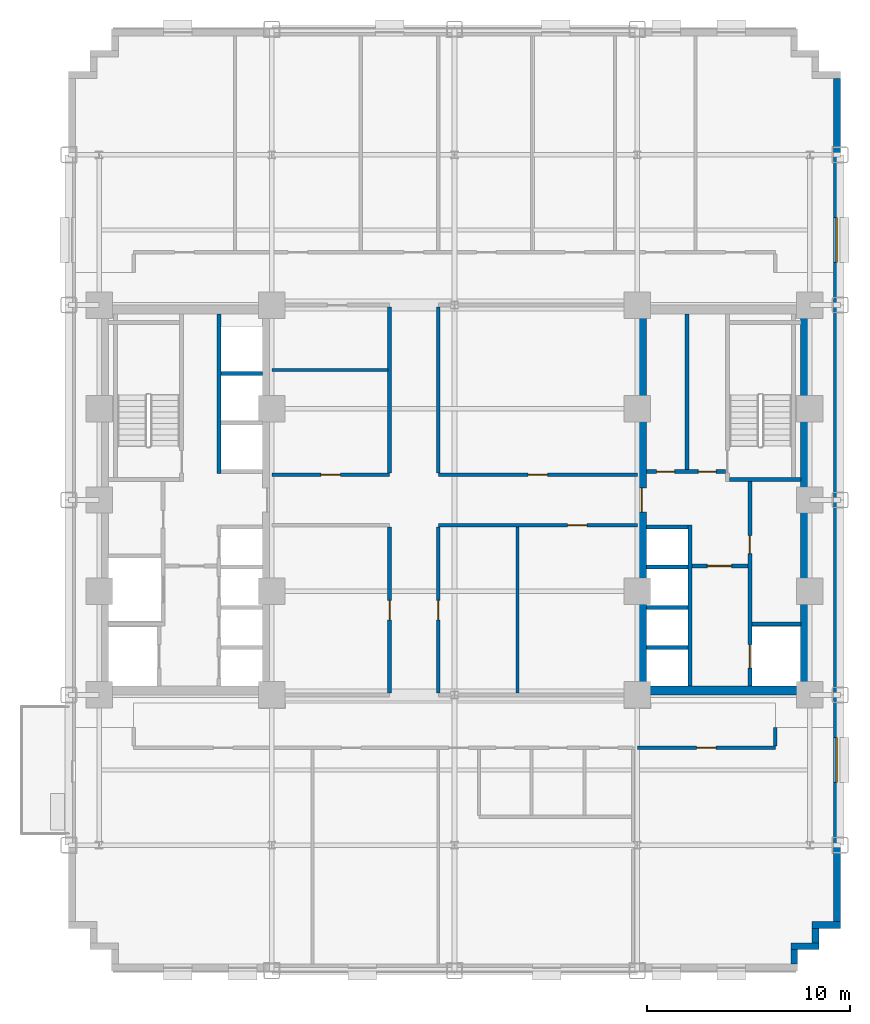
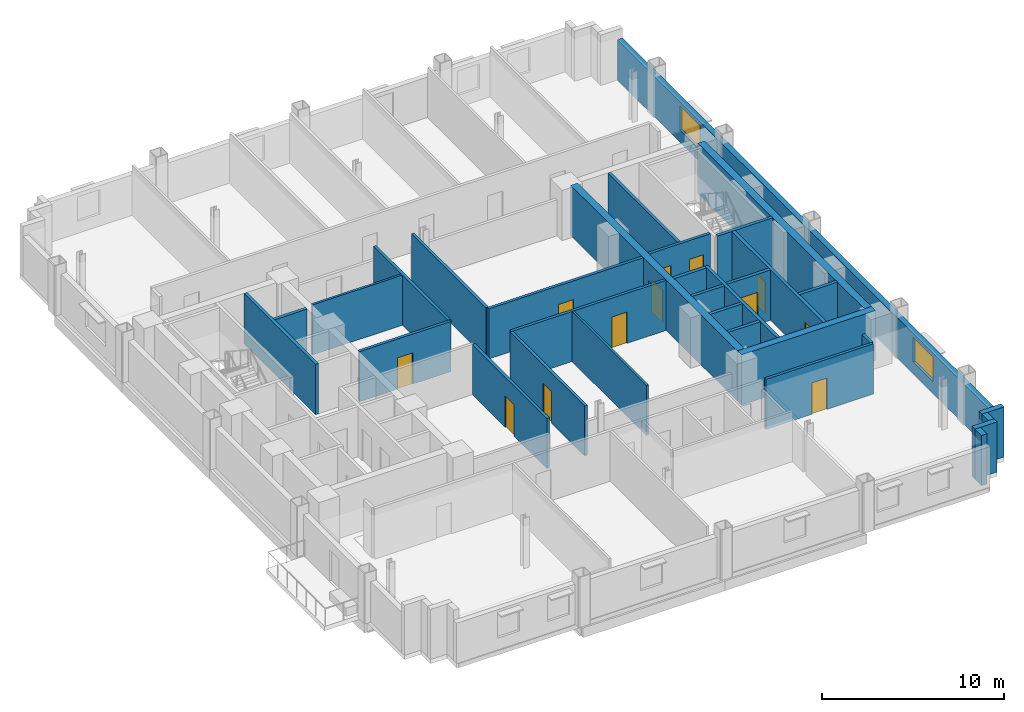
# One storey, part 6 of 12: 32 walls, 12 doors, 2 windows, 14 openings.
"""IFC4 building model written with IfcOpenShell, lengths in metres."""

from ifc_helpers import new_model, si_unit, direction, frame, frame_2d, origin, place, context, subcontext, project, spatial, rectangle, extrude, source, transform, mapped, material, layer, layer_set, type_object, type_shapes, element, fill, save


model = new_model("IFC4")

# Units and contexts
model_context = context("Model", 3, precision=1e-05, world=origin(), true_north=direction((0.0, 1.0)))
body_context = subcontext(model_context, "Body", "Model", "MODEL_VIEW")
ifc_project = project(units=[si_unit("LENGTHUNIT", "METRE"), si_unit("AREAUNIT", "SQUARE_METRE"), si_unit("VOLUMEUNIT", "CUBIC_METRE"), si_unit("PLANEANGLEUNIT", "RADIAN"), si_unit("MASSUNIT", "GRAM", prefix="KILO")], contexts=[model_context])

# Site, building, storey
site_placement = place(None, origin())
site = spatial("IfcSite", under=ifc_project, at=site_placement, CompositionType="ELEMENT")
building_placement = place(site_placement, origin())
building = spatial("IfcBuilding", under=site, at=building_placement, Name="Nuvemarco Arch Tower", CompositionType="ELEMENT")
storey_placement = place(building_placement, frame((0.0, 0.0, 38.550048828125)))
storey = spatial("IfcBuildingStorey", under=building, at=storey_placement, Name="L09", CompositionType="ELEMENT", Elevation=38.550048828125)

# Walls
ifc_material_1 = material(Name="Precast concrete C45/55", Category="concrete")
ifc_layer_1 = layer(ifc_material_1, 0.340087890625, Name="EW-LOW-340")
ifc_layer_set_1 = layer_set([ifc_layer_1], Name="Precast concrete C45/55")
wall_type_1 = type_object("IfcWallType", Name="EW-LOW-340", PredefinedType="STANDARD", material=ifc_layer_set_1)
wall_1_placement = place(storey_placement, frame((16.72998046875, -22.864013671875, 0.0), z_axis=(0.0, 0.0, 1.0), x_axis=(0.0, 1.0, 0.0)))
element("IfcWall", 1, at=wall_1_placement, inside=storey, type_object=wall_type_1, Name="L09 exterior precast facade wall 2", PredefinedType="STANDARD", context=body_context, shape_type="SweptSolid", body=[
    extrude(rectangle(XDim=0.718017578125, YDim=0.340087890625, at=frame_2d((0.35888671875, 0.0))), origin(), (0.0, 0.0, 1.0), 3.35986328125),
])
wall_2_placement = place(storey_placement, frame((16.56005859375, -21.97998046875, 0.0), z_axis=(0.0, 0.0, 1.0), x_axis=(1.0, 0.0, 0.0)))
element("IfcWall", 2, at=wall_2_placement, inside=storey, type_object=wall_type_1, Name="L09 exterior precast facade wall 3", PredefinedType="STANDARD", context=body_context, shape_type="SweptSolid", body=[
    extrude(rectangle(XDim=1.389892578125, YDim=0.340087890625, at=frame_2d((0.69482421875, 0.0))), origin(), (0.0, 0.0, 1.0), 3.35986328125),
])
wall_3_placement = place(storey_placement, frame((17.780029296875, -21.81396484375, 0.0), z_axis=(0.0, 0.0, 1.0), x_axis=(0.0, 1.0, 0.0)))
element("IfcWall", 3, at=wall_3_placement, inside=storey, type_object=wall_type_1, Name="L09 exterior precast facade wall 4", PredefinedType="STANDARD", context=body_context, shape_type="SweptSolid", body=[
    extrude(rectangle(XDim=0.718017578125, YDim=0.340087890625, at=frame_2d((0.35888671875, 0.0))), origin(), (0.0, 0.0, 1.0), 3.35986328125),
])
wall_4_placement = place(storey_placement, frame((17.610107421875, -20.929931640625, 0.0), z_axis=(0.0, 0.0, 1.0), x_axis=(1.0, 0.0, 0.0)))
element("IfcWall", 4, at=wall_4_placement, inside=storey, type_object=wall_type_1, Name="L09 exterior precast facade wall 5", PredefinedType="STANDARD", context=body_context, shape_type="SweptSolid", body=[
    extrude(rectangle(XDim=1.389892578125, YDim=0.340087890625, at=frame_2d((0.69482421875, 0.0))), origin(), (0.0, 0.0, 1.0), 3.35986328125),
])

# Wall, openings, windows
wall_5_placement = place(storey_placement, frame((18.830078125, -20.763916015625, 0.0), z_axis=(0.0, 0.0, 1.0), x_axis=(0.0, 1.0, 0.0)))
wall_5 = element("IfcWall", 5, at=wall_5_placement, inside=storey, type_object=wall_type_1, Name="L09 exterior precast facade wall 6", PredefinedType="STANDARD", context=body_context, shape_type="SweptSolid", body=[
    extrude(rectangle(XDim=41.52783203125, YDim=0.340087890625, at=frame_2d((20.763916015625, 0.0))), origin(), (0.0, 0.0, 1.0), 2.704833984375),
])
opening_1_placement = place(wall_5_placement, frame((6.861572265625, 0.0, 0.800048828125)))
opening_1 = element("IfcOpeningElement", 6, at=opening_1_placement, cuts=wall_5, Name="Opening WN-3", PredefinedType="OPENING", context=body_context, shape_type="SweptSolid", body=[
    extrude(rectangle(XDim=2.199951171875, YDim=1.64990234375, at=frame_2d((1.10009765625, 0.824951171875))), frame((0.0, 0.179931640625, 0.0), z_axis=(0.0, -1.0, 0.0), x_axis=(1.0, 0.0, 0.0)), (0.0, 0.0, 1.0), 0.360107421875),
])
opening_2_placement = place(wall_5_placement, frame((32.466552734375, 0.0, 0.800048828125)))
opening_2 = element("IfcOpeningElement", 7, at=opening_2_placement, cuts=wall_5, Name="Opening WN-3", PredefinedType="OPENING", context=body_context, shape_type="SweptSolid", body=[
    extrude(rectangle(XDim=2.199951171875, YDim=1.64990234375, at=frame_2d((1.10009765625, 0.824951171875))), frame((0.0, 0.179931640625, 0.0), z_axis=(0.0, -1.0, 0.0), x_axis=(1.0, 0.0, 0.0)), (0.0, 0.0, 1.0), 0.360107421875),
])
ifc_material_2 = material(Name="Insulated solar-control glass", Category="glass")
window_type = type_object("IfcWindowType", Name="WN-LOW-2200x1650", PartitioningType="DOUBLE_PANEL_VERTICAL", PredefinedType="WINDOW", material=ifc_material_2)
shared_shape_1 = source(origin(), body_context, "Body", "SweptSolid", [
    extrude(rectangle(XDim=2.199951171875, YDim=1.64990234375, at=frame_2d((1.10009765625, 0.824951171875))), frame((0.0, 0.030029296875, 0.0), z_axis=(0.0, -1.0, 0.0), x_axis=(1.0, 0.0, 0.0)), (0.0, 0.0, 1.0), 0.06005859375),
])
type_shapes(window_type, [shared_shape_1])
window_1_placement = place(opening_1_placement, origin())
window_1 = element("IfcWindow", 8, at=window_1_placement, inside=storey, type_object=window_type, Name="L09 punched facade window 2", OverallHeight=1.64990234375, OverallWidth=2.199951171875, PartitioningType="SINGLE_PANEL", PredefinedType="WINDOW", context=body_context, shape_type="MappedRepresentation", body=[
    mapped(shared_shape_1, transform((0.0, 0.0, 0.0), scale=1.0)),
])
fill(opening_1, window_1)
window_2_placement = place(opening_2_placement, origin())
window_2 = element("IfcWindow", 9, at=window_2_placement, inside=storey, type_object=window_type, Name="L09 punched facade window 7", OverallHeight=1.64990234375, OverallWidth=2.199951171875, PartitioningType="SINGLE_PANEL", PredefinedType="WINDOW", context=body_context, shape_type="MappedRepresentation", body=[
    mapped(shared_shape_1, transform((0.0, 0.0, 0.0), scale=1.0)),
])
fill(opening_2, window_2)

# Wall
ifc_material_3 = material(Name="Concrete C60/75", Category="concrete")
ifc_layer_2 = layer(ifc_material_3, 0.449951171875, Name="WL-CORE-450")
ifc_layer_set_2 = layer_set([ifc_layer_2], Name="Concrete C60/75")
wall_type_2 = type_object("IfcWallType", Name="WL-CORE-450", PredefinedType="SHEAR", material=ifc_layer_set_2)
wall_6_placement = place(storey_placement, frame((9.0, -9.375, 0.0), z_axis=(0.0, 0.0, 1.0), x_axis=(1.0, 0.0, 0.0)))
element("IfcWall", 10, at=wall_6_placement, inside=storey, type_object=wall_type_2, Name="L09 E-core shear wall S", PredefinedType="SHEAR", context=body_context, shape_type="SweptSolid", body=[
    extrude(rectangle(XDim=8.5, YDim=0.449951171875, at=frame_2d((4.25, 0.0))), origin(), (0.0, 0.0, 1.0), 3.369873046875),
])

# Wall, opening, door
wall_7_placement = place(storey_placement, frame((9.22509765625, -9.155029296875, 0.0), z_axis=(0.0, 0.0, 1.0), x_axis=(0.0, 1.0, 0.0)))
wall_7 = element("IfcWall", 11, at=wall_7_placement, inside=storey, type_object=wall_type_2, Name="L09 E-core shear wall W", PredefinedType="SHEAR", context=body_context, shape_type="SweptSolid", body=[
    extrude(rectangle(XDim=18.31005859375, YDim=0.449951171875, at=frame_2d((9.155029296875, 0.0))), origin(), (0.0, 0.0, 1.0), 3.369873046875),
])
opening_3_placement = place(wall_7_placement, frame((8.554931640625, 0.0, 0.0)))
opening_3 = element("IfcOpeningElement", 12, at=opening_3_placement, cuts=wall_7, Name="Opening FD-2", PredefinedType="OPENING", context=body_context, shape_type="SweptSolid", body=[
    extrude(rectangle(XDim=1.199951171875, YDim=2.14990234375, at=frame_2d((0.60009765625, 1.074951171875))), frame((0.0, 0.23486328125, 0.0), z_axis=(0.0, -1.0, 0.0), x_axis=(1.0, 0.0, 0.0)), (0.0, 0.0, 1.0), 0.469970703125),
])
ifc_material_4 = material(Name="Anodised steel fire door", Category="steel")
door_type_1 = type_object("IfcDoorType", Name="DR-FFLOB-FD", OperationType="NOTDEFINED", PredefinedType="DOOR", material=ifc_material_4)
shared_shape_2 = source(origin(), body_context, "Body", "SweptSolid", [
    extrude(rectangle(XDim=1.199951171875, YDim=2.14990234375, at=frame_2d((0.60009765625, 1.074951171875))), frame((0.0, 0.02490234375, 0.0), z_axis=(0.0, -1.0, 0.0), x_axis=(1.0, 0.0, 0.0)), (0.0, 0.0, 1.0), 0.050048828125),
])
type_shapes(door_type_1, [shared_shape_2])
door_1_placement = place(opening_3_placement, origin())
door_1 = element("IfcDoor", 13, at=door_1_placement, inside=storey, type_object=door_type_1, Name="L09 door FD-L09-ECORE-W", OperationType="SINGLE_SWING_RIGHT", OverallHeight=2.14990234375, OverallWidth=1.199951171875, PredefinedType="DOOR", context=body_context, shape_type="MappedRepresentation", body=[
    mapped(shared_shape_2, transform((0.0, 0.0, 0.0), scale=1.0)),
])
fill(opening_3, door_1)

# Wall
wall_8_placement = place(storey_placement, frame((17.27490234375, -9.155029296875, 0.0), z_axis=(0.0, 0.0, 1.0), x_axis=(0.0, 1.0, 0.0)))
element("IfcWall", 14, at=wall_8_placement, inside=storey, type_object=wall_type_2, Name="L09 E-core shear wall E", PredefinedType="SHEAR", context=body_context, shape_type="SweptSolid", body=[
    extrude(rectangle(XDim=18.31005859375, YDim=0.449951171875, at=frame_2d((9.155029296875, 0.0))), origin(), (0.0, 0.0, 1.0), 3.369873046875),
])

# Wall, openings, doors
ifc_material_5 = material(Name="Fire-rated gypsum drywall partition")
ifc_layer_3 = layer(ifc_material_5, 0.179931640625, Name="WL-CORR-180")
ifc_layer_set_3 = layer_set([ifc_layer_3], Name="Fire-rated gypsum drywall partition")
wall_type_3 = type_object("IfcWallType", Name="WL-CORR-180", PredefinedType="PARTITIONING", material=ifc_layer_set_3)
wall_9_placement = place(storey_placement, frame((9.445068359375, 1.39990234375, 0.0), z_axis=(0.0, 0.0, 1.0), x_axis=(1.0, 0.0, 0.0)))
wall_9 = element("IfcWall", 15, at=wall_9_placement, inside=storey, type_object=wall_type_3, Name="L09 interior wall IW-L09-EK-S", PredefinedType="PARTITIONING", context=body_context, shape_type="SweptSolid", body=[
    extrude(rectangle(XDim=3.89990234375, YDim=0.179931640625, at=frame_2d((1.949951171875, 0.0))), origin(), (0.0, 0.0, 1.0), 3.35986328125),
])
opening_4_placement = place(wall_9_placement, frame((0.514892578125, 0.0, 0.0)))
opening_4 = element("IfcOpeningElement", 16, at=opening_4_placement, cuts=wall_9, Name="Opening FD-4", PredefinedType="OPENING", context=body_context, shape_type="SweptSolid", body=[
    extrude(rectangle(XDim=0.8798828125, YDim=2.10009765625, at=frame_2d((0.43994140625, 1.050048828125))), frame((0.0, 0.099853515625, 0.0), z_axis=(0.0, -1.0, 0.0), x_axis=(1.0, 0.0, 0.0)), (0.0, 0.0, 1.0), 0.199951171875),
])
opening_5_placement = place(wall_9_placement, frame((2.56494140625, 0.0, 0.0)))
opening_5 = element("IfcOpeningElement", 17, at=opening_5_placement, cuts=wall_9, Name="Opening FD-4", PredefinedType="OPENING", context=body_context, shape_type="SweptSolid", body=[
    extrude(rectangle(XDim=0.8798828125, YDim=2.10009765625, at=frame_2d((0.43994140625, 1.050048828125))), frame((0.0, 0.099853515625, 0.0), z_axis=(0.0, -1.0, 0.0), x_axis=(1.0, 0.0, 0.0)), (0.0, 0.0, 1.0), 0.199951171875),
])
door_type_2 = type_object("IfcDoorType", Name="DR-RISER-FD", OperationType="NOTDEFINED", PredefinedType="DOOR", material=ifc_material_4)
shared_shape_3 = source(origin(), body_context, "Body", "SweptSolid", [
    extrude(rectangle(XDim=0.8798828125, YDim=2.10009765625, at=frame_2d((0.43994140625, 1.050048828125))), frame((0.0, 0.02490234375, 0.0), z_axis=(0.0, -1.0, 0.0), x_axis=(1.0, 0.0, 0.0)), (0.0, 0.0, 1.0), 0.050048828125),
])
type_shapes(door_type_2, [shared_shape_3])
door_2_placement = place(opening_4_placement, origin())
door_2 = element("IfcDoor", 18, at=door_2_placement, inside=storey, type_object=door_type_2, Name="L09 door FD-L09-EK2A", OperationType="SINGLE_SWING_LEFT", OverallHeight=2.10009765625, OverallWidth=0.8798828125, PredefinedType="DOOR", context=body_context, shape_type="MappedRepresentation", body=[
    mapped(shared_shape_3, transform((0.0, 0.0, 0.0), scale=1.0)),
])
fill(opening_4, door_2)
door_3_placement = place(opening_5_placement, origin())
door_3 = element("IfcDoor", 19, at=door_3_placement, inside=storey, type_object=door_type_2, Name="L09 door FD-L09-EK2B", OperationType="SINGLE_SWING_RIGHT", OverallHeight=2.10009765625, OverallWidth=0.8798828125, PredefinedType="DOOR", context=body_context, shape_type="MappedRepresentation", body=[
    mapped(shared_shape_3, transform((0.0, 0.0, 0.0), scale=1.0)),
])
fill(opening_5, door_3)

# Wall
wall_10_placement = place(storey_placement, frame((11.449951171875, 1.489990234375, 0.0), z_axis=(0.0, 0.0, 1.0), x_axis=(0.0, 1.0, 0.0)))
element("IfcWall", 20, at=wall_10_placement, inside=storey, type_object=wall_type_3, Name="L09 interior wall IW-L09-EK2", PredefinedType="PARTITIONING", context=body_context, shape_type="SweptSolid", body=[
    extrude(rectangle(XDim=7.6650390625, YDim=0.179931640625, at=frame_2d((3.83251953125, 0.0))), origin(), (0.0, 0.0, 1.0), 3.35986328125),
])

# Wall, opening, door
wall_11_placement = place(storey_placement, frame((9.0, -12.199951171875, 0.0), z_axis=(0.0, 0.0, 1.0), x_axis=(1.0, 0.0, 0.0)))
wall_11 = element("IfcWall", 21, at=wall_11_placement, inside=storey, type_object=wall_type_3, Name="L09 interior wall IW-L09-003", PredefinedType="PARTITIONING", context=body_context, shape_type="SweptSolid", body=[
    extrude(rectangle(XDim=6.800048828125, YDim=0.179931640625, at=frame_2d((3.39990234375, 0.0))), origin(), (0.0, 0.0, 1.0), 3.35986328125),
])
opening_6_placement = place(wall_11_placement, frame((2.919921875, 0.0, 0.0)))
opening_6 = element("IfcOpeningElement", 22, at=opening_6_placement, cuts=wall_11, Name="Opening FD-5", PredefinedType="OPENING", context=body_context, shape_type="SweptSolid", body=[
    extrude(rectangle(XDim=0.9599609375, YDim=2.10009765625, at=frame_2d((0.47998046875, 1.050048828125))), frame((0.0, 0.099853515625, 0.0), z_axis=(0.0, -1.0, 0.0), x_axis=(1.0, 0.0, 0.0)), (0.0, 0.0, 1.0), 0.199951171875),
])
ifc_material_6 = material(Name="Timber fire door", Category="wood")
door_type_3 = type_object("IfcDoorType", Name="DR-CORR-FD", OperationType="NOTDEFINED", PredefinedType="DOOR", material=ifc_material_6)
shared_shape_4 = source(origin(), body_context, "Body", "SweptSolid", [
    extrude(rectangle(XDim=0.9599609375, YDim=2.10009765625, at=frame_2d((0.47998046875, 1.050048828125))), frame((0.0, 0.02490234375, 0.0), z_axis=(0.0, -1.0, 0.0), x_axis=(1.0, 0.0, 0.0)), (0.0, 0.0, 1.0), 0.050048828125),
])
type_shapes(door_type_3, [shared_shape_4])
door_4_placement = place(opening_6_placement, origin())
door_4 = element("IfcDoor", 23, at=door_4_placement, inside=storey, type_object=door_type_3, Name="L09 door DR-L09-S_4", OperationType="SINGLE_SWING_LEFT", OverallHeight=2.10009765625, OverallWidth=0.9599609375, PredefinedType="DOOR", context=body_context, shape_type="MappedRepresentation", body=[
    mapped(shared_shape_4, transform((0.0, 0.0, 0.0), scale=1.0)),
])
fill(opening_6, door_4)

wall_12_placement = place(storey_placement, frame((-0.800048828125, -1.25, 0.0), z_axis=(0.0, 0.0, 1.0), x_axis=(1.0, 0.0, 0.0)))
wall_12 = element("IfcWall", 24, at=wall_12_placement, inside=storey, type_object=wall_type_3, Name="L09 interior wall IW-L09-008", PredefinedType="PARTITIONING", context=body_context, shape_type="SweptSolid", body=[
    extrude(rectangle(XDim=9.800048828125, YDim=0.179931640625, at=frame_2d((4.89990234375, 0.0))), origin(), (0.0, 0.0, 1.0), 3.35986328125),
])
opening_7_placement = place(wall_12_placement, frame((6.3701171875, 0.0, 0.0)))
opening_7 = element("IfcOpeningElement", 25, at=opening_7_placement, cuts=wall_12, Name="Opening FD-5", PredefinedType="OPENING", context=body_context, shape_type="SweptSolid", body=[
    extrude(rectangle(XDim=0.9599609375, YDim=2.10009765625, at=frame_2d((0.47998046875, 1.050048828125))), frame((0.0, 0.099853515625, 0.0), z_axis=(0.0, -1.0, 0.0), x_axis=(1.0, 0.0, 0.0)), (0.0, 0.0, 1.0), 0.199951171875),
])
door_5_placement = place(opening_7_placement, origin())
door_5 = element("IfcDoor", 26, at=door_5_placement, inside=storey, type_object=door_type_3, Name="L09 door DR-L09-C_SE2", OperationType="SINGLE_SWING_LEFT", OverallHeight=2.10009765625, OverallWidth=0.9599609375, PredefinedType="DOOR", context=body_context, shape_type="MappedRepresentation", body=[
    mapped(shared_shape_4, transform((0.0, 0.0, 0.0), scale=1.0)),
])
fill(opening_7, door_5)

wall_13_placement = place(storey_placement, frame((-9.0, 1.25, 0.0), z_axis=(0.0, 0.0, 1.0), x_axis=(1.0, 0.0, 0.0)))
wall_13 = element("IfcWall", 27, at=wall_13_placement, inside=storey, type_object=wall_type_3, Name="L09 interior wall IW-L09-009", PredefinedType="PARTITIONING", context=body_context, shape_type="SweptSolid", body=[
    extrude(rectangle(XDim=5.800048828125, YDim=0.179931640625, at=frame_2d((2.89990234375, 0.0))), origin(), (0.0, 0.0, 1.0), 3.35986328125),
])
opening_8_placement = place(wall_13_placement, frame((2.419921875, 0.0, 0.0)))
opening_8 = element("IfcOpeningElement", 28, at=opening_8_placement, cuts=wall_13, Name="Opening FD-5", PredefinedType="OPENING", context=body_context, shape_type="SweptSolid", body=[
    extrude(rectangle(XDim=0.9599609375, YDim=2.10009765625, at=frame_2d((0.47998046875, 1.050048828125))), frame((0.0, 0.099853515625, 0.0), z_axis=(0.0, -1.0, 0.0), x_axis=(1.0, 0.0, 0.0)), (0.0, 0.0, 1.0), 0.199951171875),
])
door_6_placement = place(opening_8_placement, origin())
door_6 = element("IfcDoor", 29, at=door_6_placement, inside=storey, type_object=door_type_3, Name="L09 door DR-L09-C_NW1", OperationType="SINGLE_SWING_RIGHT", OverallHeight=2.10009765625, OverallWidth=0.9599609375, PredefinedType="DOOR", context=body_context, shape_type="MappedRepresentation", body=[
    mapped(shared_shape_4, transform((0.0, 0.0, 0.0), scale=1.0)),
])
fill(opening_8, door_6)

wall_14_placement = place(storey_placement, frame((-0.800048828125, 1.25, 0.0), z_axis=(0.0, 0.0, 1.0), x_axis=(1.0, 0.0, 0.0)))
wall_14 = element("IfcWall", 30, at=wall_14_placement, inside=storey, type_object=wall_type_3, Name="L09 interior wall IW-L09-010", PredefinedType="PARTITIONING", context=body_context, shape_type="SweptSolid", body=[
    extrude(rectangle(XDim=9.800048828125, YDim=0.179931640625, at=frame_2d((4.89990234375, 0.0))), origin(), (0.0, 0.0, 1.0), 3.35986328125),
])
opening_9_placement = place(wall_14_placement, frame((4.419921875, 0.0, 0.0)))
opening_9 = element("IfcOpeningElement", 31, at=opening_9_placement, cuts=wall_14, Name="Opening FD-5", PredefinedType="OPENING", context=body_context, shape_type="SweptSolid", body=[
    extrude(rectangle(XDim=0.9599609375, YDim=2.10009765625, at=frame_2d((0.47998046875, 1.050048828125))), frame((0.0, 0.099853515625, 0.0), z_axis=(0.0, -1.0, 0.0), x_axis=(1.0, 0.0, 0.0)), (0.0, 0.0, 1.0), 0.199951171875),
])
door_7_placement = place(opening_9_placement, origin())
door_7 = element("IfcDoor", 32, at=door_7_placement, inside=storey, type_object=door_type_3, Name="L09 door DR-L09-C_NE", OperationType="SINGLE_SWING_LEFT", OverallHeight=2.10009765625, OverallWidth=0.9599609375, PredefinedType="DOOR", context=body_context, shape_type="MappedRepresentation", body=[
    mapped(shared_shape_4, transform((0.0, 0.0, 0.0), scale=1.0)),
])
fill(opening_9, door_7)

wall_15_placement = place(storey_placement, frame((-3.199951171875, -9.513916015625, 0.0), z_axis=(0.0, 0.0, 1.0), x_axis=(0.0, 1.0, 0.0)))
wall_15 = element("IfcWall", 33, at=wall_15_placement, inside=storey, type_object=wall_type_3, Name="L09 interior wall IW-L09-021", PredefinedType="PARTITIONING", context=body_context, shape_type="SweptSolid", body=[
    extrude(rectangle(XDim=8.177978515625, YDim=0.179931640625, at=frame_2d((4.0888671875, 0.0))), origin(), (0.0, 0.0, 1.0), 3.35986328125),
])
opening_10_placement = place(wall_15_placement, frame((3.60888671875, 0.0, 0.0)))
opening_10 = element("IfcOpeningElement", 34, at=opening_10_placement, cuts=wall_15, Name="Opening FD-5", PredefinedType="OPENING", context=body_context, shape_type="SweptSolid", body=[
    extrude(rectangle(XDim=0.9599609375, YDim=2.10009765625, at=frame_2d((0.47998046875, 1.050048828125))), frame((0.0, 0.099853515625, 0.0), z_axis=(0.0, -1.0, 0.0), x_axis=(1.0, 0.0, 0.0)), (0.0, 0.0, 1.0), 0.199951171875),
])
door_8_placement = place(opening_10_placement, origin())
door_8 = element("IfcDoor", 35, at=door_8_placement, inside=storey, type_object=door_type_3, Name="L09 door DR-L09-C_SW", OperationType="SINGLE_SWING_LEFT", OverallHeight=2.10009765625, OverallWidth=0.9599609375, PredefinedType="DOOR", context=body_context, shape_type="MappedRepresentation", body=[
    mapped(shared_shape_4, transform((0.0, 0.0, 0.0), scale=1.0)),
])
fill(opening_10, door_8)

# Wall
wall_16_placement = place(storey_placement, frame((-3.199951171875, 1.3359375, 0.0), z_axis=(0.0, 0.0, 1.0), x_axis=(0.0, 1.0, 0.0)))
element("IfcWall", 36, at=wall_16_placement, inside=storey, type_object=wall_type_3, Name="L09 interior wall IW-L09-022", PredefinedType="PARTITIONING", context=body_context, shape_type="SweptSolid", body=[
    extrude(rectangle(XDim=8.177978515625, YDim=0.179931640625, at=frame_2d((4.0888671875, 0.0))), origin(), (0.0, 0.0, 1.0), 3.35986328125),
])

# Wall, opening, door
wall_17_placement = place(storey_placement, frame((-0.800048828125, -9.513916015625, 0.0), z_axis=(0.0, 0.0, 1.0), x_axis=(0.0, 1.0, 0.0)))
wall_17 = element("IfcWall", 37, at=wall_17_placement, inside=storey, type_object=wall_type_3, Name="L09 interior wall IW-L09-024", PredefinedType="PARTITIONING", context=body_context, shape_type="SweptSolid", body=[
    extrude(rectangle(XDim=8.177978515625, YDim=0.179931640625, at=frame_2d((4.0888671875, 0.0))), origin(), (0.0, 0.0, 1.0), 3.35986328125),
])
opening_11_placement = place(wall_17_placement, frame((3.60888671875, 0.0, 0.0)))
opening_11 = element("IfcOpeningElement", 38, at=opening_11_placement, cuts=wall_17, Name="Opening FD-5", PredefinedType="OPENING", context=body_context, shape_type="SweptSolid", body=[
    extrude(rectangle(XDim=0.9599609375, YDim=2.10009765625, at=frame_2d((0.47998046875, 1.050048828125))), frame((0.0, 0.099853515625, 0.0), z_axis=(0.0, -1.0, 0.0), x_axis=(1.0, 0.0, 0.0)), (0.0, 0.0, 1.0), 0.199951171875),
])
door_9_placement = place(opening_11_placement, origin())
door_9 = element("IfcDoor", 39, at=door_9_placement, inside=storey, type_object=door_type_3, Name="L09 door DR-L09-C_SE1", OperationType="SINGLE_SWING_RIGHT", OverallHeight=2.10009765625, OverallWidth=0.9599609375, PredefinedType="DOOR", context=body_context, shape_type="MappedRepresentation", body=[
    mapped(shared_shape_4, transform((0.0, 0.0, 0.0), scale=1.0)),
])
fill(opening_11, door_9)

# Walls
wall_18_placement = place(storey_placement, frame((-0.800048828125, 1.3359375, 0.0), z_axis=(0.0, 0.0, 1.0), x_axis=(0.0, 1.0, 0.0)))
element("IfcWall", 40, at=wall_18_placement, inside=storey, type_object=wall_type_3, Name="L09 interior wall IW-L09-025", PredefinedType="PARTITIONING", context=body_context, shape_type="SweptSolid", body=[
    extrude(rectangle(XDim=8.177978515625, YDim=0.179931640625, at=frame_2d((4.0888671875, 0.0))), origin(), (0.0, 0.0, 1.0), 3.35986328125),
])
wall_19_placement = place(storey_placement, frame((15.800048828125, -12.114013671875, 0.0), z_axis=(0.0, 0.0, 1.0), x_axis=(0.0, 1.0, 0.0)))
element("IfcWall", 41, at=wall_19_placement, inside=storey, type_object=wall_type_3, Name="L09 interior wall IW-L09-036", PredefinedType="PARTITIONING", context=body_context, shape_type="SweptSolid", body=[
    extrude(rectangle(XDim=0.9140625, YDim=0.179931640625, at=frame_2d((0.45703125, 0.0))), origin(), (0.0, 0.0, 1.0), 3.35986328125),
])
ifc_material_7 = material(Name="Gypsum plasterboard partition")
ifc_layer_4 = layer(ifc_material_7, 0.139892578125, Name="WL-ROOM-140")
ifc_layer_set_4 = layer_set([ifc_layer_4], Name="Gypsum plasterboard partition")
wall_type_4 = type_object("IfcWallType", Name="WL-ROOM-140", PredefinedType="PARTITIONING", material=ifc_layer_set_4)
wall_20_placement = place(storey_placement, frame((-9.0, 6.39990234375, 0.0), z_axis=(0.0, 0.0, 1.0), x_axis=(1.0, 0.0, 0.0)))
element("IfcWall", 42, at=wall_20_placement, inside=storey, type_object=wall_type_4, Name="L09 interior wall IW-L09-011", PredefinedType="PARTITIONING", context=body_context, shape_type="SweptSolid", body=[
    extrude(rectangle(XDim=5.714111328125, YDim=0.139892578125, at=frame_2d((2.85693359375, 0.0))), origin(), (0.0, 0.0, 1.0), 3.35986328125),
])
wall_21_placement = place(storey_placement, frame((3.10009765625, -9.513916015625, 0.0), z_axis=(0.0, 0.0, 1.0), x_axis=(0.0, 1.0, 0.0)))
element("IfcWall", 43, at=wall_21_placement, inside=storey, type_object=wall_type_4, Name="L09 interior wall IW-L09-028", PredefinedType="PARTITIONING", context=body_context, shape_type="SweptSolid", body=[
    extrude(rectangle(XDim=8.177978515625, YDim=0.139892578125, at=frame_2d((4.0888671875, 0.0))), origin(), (0.0, 0.0, 1.0), 3.35986328125),
])
ifc_material_8 = material(Name="Concrete C50/60", Category="concrete")
ifc_layer_5 = layer(ifc_material_8, 0.199951171875, Name="WL-SHAFT-220")
ifc_layer_set_5 = layer_set([ifc_layer_5], Name="Concrete C50/60")
wall_type_5 = type_object("IfcWallType", Name="WL-SHAFT-220", PredefinedType="SHEAR", material=ifc_layer_set_5)
wall_22_placement = place(storey_placement, frame((-11.60009765625, 1.300048828125, 0.0), z_axis=(0.0, 0.0, 1.0), x_axis=(0.0, 1.0, 0.0)))
element("IfcWall", 44, at=wall_22_placement, inside=storey, type_object=wall_type_5, Name="L09 structural shaft wall SW-L09-W-PHW", PredefinedType="SHEAR", context=body_context, shape_type="SweptSolid", body=[
    extrude(rectangle(XDim=7.85498046875, YDim=0.199951171875, at=frame_2d((3.927490234375, 0.0))), origin(), (0.0, 0.0, 1.0), 3.369873046875),
])
wall_23_placement = place(storey_placement, frame((-11.5048828125, 6.219970703125, 0.0), z_axis=(0.0, 0.0, 1.0), x_axis=(1.0, 0.0, 0.0)))
element("IfcWall", 45, at=wall_23_placement, inside=storey, type_object=wall_type_5, Name="L09 structural shaft wall SW-L09-W-PHD3", PredefinedType="SHEAR", context=body_context, shape_type="SweptSolid", body=[
    extrude(rectangle(XDim=2.059814453125, YDim=0.199951171875, at=frame_2d((1.02978515625, 0.0))), origin(), (0.0, 0.0, 1.0), 3.369873046875),
])
wall_24_placement = place(storey_placement, frame((13.534912109375, 1.0, 0.0), z_axis=(0.0, 0.0, 1.0), x_axis=(1.0, 0.0, 0.0)))
element("IfcWall", 46, at=wall_24_placement, inside=storey, type_object=wall_type_5, Name="L09 structural shaft wall SW-L09-E-ST2S", PredefinedType="SHEAR", context=body_context, shape_type="SweptSolid", body=[
    extrude(rectangle(XDim=3.52001953125, YDim=0.199951171875, at=frame_2d((1.760009765625, 0.0))), origin(), (0.0, 0.0, 1.0), 3.369873046875),
])

# Wall, openings, doors
wall_25_placement = place(storey_placement, frame((14.550048828125, -9.155029296875, 0.0), z_axis=(0.0, 0.0, 1.0), x_axis=(0.0, 1.0, 0.0)))
wall_25 = element("IfcWall", 47, at=wall_25_placement, inside=storey, type_object=wall_type_5, Name="L09 structural shaft wall SW-L09-E-SHW", PredefinedType="SHEAR", context=body_context, shape_type="SweptSolid", body=[
    extrude(rectangle(XDim=10.06005859375, YDim=0.199951171875, at=frame_2d((5.030029296875, 0.0))), origin(), (0.0, 0.0, 1.0), 3.369873046875),
])
opening_12_placement = place(wall_25_placement, frame((6.514892578125, 0.0, 0.0)))
opening_12 = element("IfcOpeningElement", 48, at=opening_12_placement, cuts=wall_25, Name="Opening FD-4", PredefinedType="OPENING", context=body_context, shape_type="SweptSolid", body=[
    extrude(rectangle(XDim=0.8798828125, YDim=2.10009765625, at=frame_2d((0.43994140625, 1.050048828125))), frame((0.0, 0.10986328125, 0.0), z_axis=(0.0, -1.0, 0.0), x_axis=(1.0, 0.0, 0.0)), (0.0, 0.0, 1.0), 0.219970703125),
])
opening_13_placement = place(wall_25_placement, frame((0.8798828125, 0.0, 0.0)))
opening_13 = element("IfcOpeningElement", 49, at=opening_13_placement, cuts=wall_25, Name="Opening LD-2", PredefinedType="OPENING", context=body_context, shape_type="SweptSolid", body=[
    extrude(rectangle(XDim=1.14990234375, YDim=2.14990234375, at=frame_2d((0.574951171875, 1.074951171875))), frame((0.0, 0.10986328125, 0.0), z_axis=(0.0, -1.0, 0.0), x_axis=(1.0, 0.0, 0.0)), (0.0, 0.0, 1.0), 0.219970703125),
])
door_10_placement = place(opening_12_placement, origin())
door_10 = element("IfcDoor", 50, at=door_10_placement, inside=storey, type_object=door_type_2, Name="L09 door FD-L09-ERIS", OperationType="SINGLE_SWING_RIGHT", OverallHeight=2.10009765625, OverallWidth=0.8798828125, PredefinedType="DOOR", context=body_context, shape_type="MappedRepresentation", body=[
    mapped(shared_shape_3, transform((0.0, 0.0, 0.0), scale=1.0)),
])
fill(opening_12, door_10)
ifc_material_9 = material(Name="Stainless steel lift door", Category="steel")
door_type_4 = type_object("IfcDoorType", Name="DR-LIFT-FIRE", OperationType="DOUBLE_DOOR_SLIDING", PredefinedType="DOOR", material=ifc_material_9)
shared_shape_5 = source(origin(), body_context, "Body", "SweptSolid", [
    extrude(rectangle(XDim=1.14990234375, YDim=2.14990234375, at=frame_2d((0.574951171875, 1.074951171875))), frame((0.0, 0.02490234375, 0.0), z_axis=(0.0, -1.0, 0.0), x_axis=(1.0, 0.0, 0.0)), (0.0, 0.0, 1.0), 0.050048828125),
])
type_shapes(door_type_4, [shared_shape_5])
door_11_placement = place(opening_13_placement, origin())
door_11 = element("IfcDoor", 51, at=door_11_placement, inside=storey, type_object=door_type_4, Name="L09 Lift landing sliding door FFL-2", OperationType="DOUBLE_DOOR_SLIDING", OverallHeight=2.14990234375, OverallWidth=1.14990234375, PredefinedType="DOOR", context=body_context, shape_type="MappedRepresentation", body=[
    mapped(shared_shape_5, transform((0.0, 0.0, 0.0), scale=1.0)),
])
fill(opening_13, door_11)

# Walls
wall_26_placement = place(storey_placement, frame((14.64501953125, -6.10009765625, 0.0), z_axis=(0.0, 0.0, 1.0), x_axis=(1.0, 0.0, 0.0)))
element("IfcWall", 52, at=wall_26_placement, inside=storey, type_object=wall_type_5, Name="L09 structural shaft wall SW-L09-E-SH1", PredefinedType="SHEAR", context=body_context, shape_type="SweptSolid", body=[
    extrude(rectangle(XDim=2.409912109375, YDim=0.199951171875, at=frame_2d((1.205078125, 0.0))), origin(), (0.0, 0.0, 1.0), 3.369873046875),
])
wall_27_placement = place(storey_placement, frame((11.60009765625, -9.155029296875, 0.0), z_axis=(0.0, 0.0, 1.0), x_axis=(0.0, 1.0, 0.0)))
element("IfcWall", 53, at=wall_27_placement, inside=storey, type_object=wall_type_5, Name="L09 structural shaft wall SW-L09-E-PME", PredefinedType="SHEAR", context=body_context, shape_type="SweptSolid", body=[
    extrude(rectangle(XDim=7.925048828125, YDim=0.199951171875, at=frame_2d((3.96240234375, 0.0))), origin(), (0.0, 0.0, 1.0), 3.369873046875),
])

# Wall, opening, door
wall_28_placement = place(storey_placement, frame((11.695068359375, -3.25, 0.0), z_axis=(0.0, 0.0, 1.0), x_axis=(1.0, 0.0, 0.0)))
wall_28 = element("IfcWall", 54, at=wall_28_placement, inside=storey, type_object=wall_type_5, Name="L09 structural shaft wall SW-L09-E-FFN", PredefinedType="SHEAR", context=body_context, shape_type="SweptSolid", body=[
    extrude(rectangle(XDim=2.760009765625, YDim=0.199951171875, at=frame_2d((1.3798828125, 0.0))), origin(), (0.0, 0.0, 1.0), 3.369873046875),
])
opening_14_placement = place(wall_28_placement, frame((0.7548828125, 0.0, 0.0)))
opening_14 = element("IfcOpeningElement", 55, at=opening_14_placement, cuts=wall_28, Name="Opening FD-2", PredefinedType="OPENING", context=body_context, shape_type="SweptSolid", body=[
    extrude(rectangle(XDim=1.199951171875, YDim=2.14990234375, at=frame_2d((0.60009765625, 1.074951171875))), frame((0.0, 0.10986328125, 0.0), z_axis=(0.0, -1.0, 0.0), x_axis=(1.0, 0.0, 0.0)), (0.0, 0.0, 1.0), 0.219970703125),
])
door_12_placement = place(opening_14_placement, origin())
door_12 = element("IfcDoor", 56, at=door_12_placement, inside=storey, type_object=door_type_1, Name="L09 door FD-L09-EFF2", OperationType="SINGLE_SWING_RIGHT", OverallHeight=2.14990234375, OverallWidth=1.199951171875, PredefinedType="DOOR", context=body_context, shape_type="MappedRepresentation", body=[
    mapped(shared_shape_2, transform((0.0, 0.0, 0.0), scale=1.0)),
])
fill(opening_14, door_12)

# Walls
for number, where, z_axis, x_axis, name in (
    (57, (9.445068359375, -7.27001953125, 0.0), (0.0, 0.0, 1.0), (1.0, 0.0, 0.0), "L09 structural shaft wall SW-L09-E-PMD1"),
    (58, (9.445068359375, -5.2900390625, 0.0), (0.0, 0.0, 1.0), (1.0, 0.0, 0.0), "L09 structural shaft wall SW-L09-E-PMD2"),
    (59, (9.445068359375, -3.31005859375, 0.0), (0.0, 0.0, 1.0), (1.0, 0.0, 0.0), "L09 structural shaft wall SW-L09-E-PMD3"),
    (60, (9.445068359375, -1.330078125, 0.0), (0.0, 0.0, 1.0), (1.0, 0.0, 0.0), "L09 structural shaft wall SW-L09-E-PMD4"),
):
    element("IfcWall", number, at=place(storey_placement, frame(where, z_axis=z_axis, x_axis=x_axis)), inside=storey, type_object=wall_type_5, Name=name, PredefinedType="SHEAR", context=body_context, shape_type="SweptSolid", body=[
        extrude(rectangle(XDim=2.059814453125, YDim=0.199951171875, at=frame_2d((1.02978515625, 0.0))), origin(), (0.0, 0.0, 1.0), 3.369873046875),
    ])

save(model, "model.ifc")
